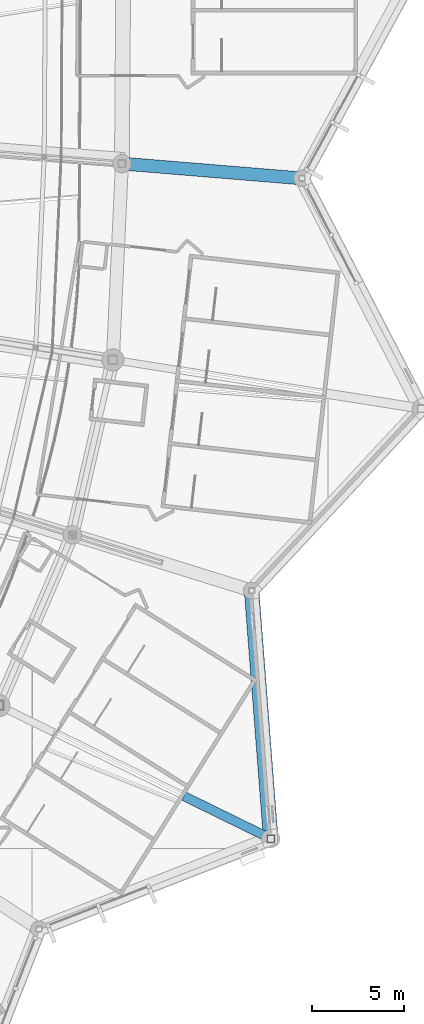
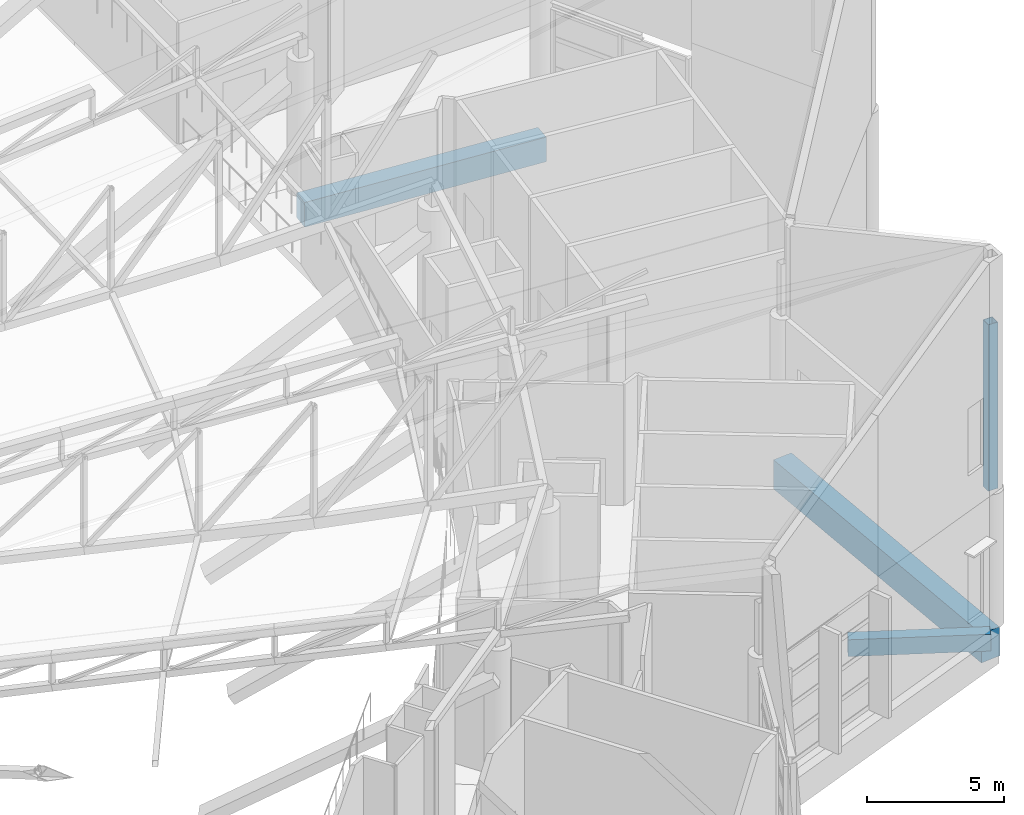
# One storey, part 95 of 344: 3 beams, 1 member.
"""IFC4 building model written with IfcOpenShell, lengths in metres."""

from ifc_helpers import new_model, si_unit, direction, frame, origin, origin_2d, place, context, subcontext, project, spatial, rectangle, hollow_rectangle, extrude, material, material_profile, profile_set, type_object, element, save


model = new_model("IFC4")

# Units and contexts
model_context = context("Model", 3, precision=1e-05, world=origin(), true_north=direction((0.0, 1.0)))
body_context = subcontext(model_context, "Body", "Model", "MODEL_VIEW")
ifc_project = project(units=[si_unit("LENGTHUNIT", "METRE"), si_unit("AREAUNIT", "SQUARE_METRE"), si_unit("VOLUMEUNIT", "CUBIC_METRE"), si_unit("PLANEANGLEUNIT", "RADIAN"), si_unit("MASSUNIT", "GRAM", prefix="KILO")], contexts=[model_context])

# Site, building, storey
site_placement = place(None, origin())
site = spatial("IfcSite", under=ifc_project, at=site_placement, CompositionType="ELEMENT")
building_placement = place(site_placement, origin())
building = spatial("IfcBuilding", under=site, at=building_placement, Name="Meseta Stadium", CompositionType="ELEMENT")
storey_placement = place(building_placement, frame((0.0, 0.0, 24.0)))
storey = spatial("IfcBuildingStorey", under=building, at=storey_placement, Name="L04", CompositionType="ELEMENT", Elevation=24.0)

# Beams
ifc_material_1 = material(Name="Concrete C40/50", Category="concrete")
ifc_material_profile_1 = material_profile(ifc_material_1, rectangle(XDim=0.5, YDim=0.75, at=origin_2d()), Name="RC 500x750")
ifc_profile_set_1 = profile_set([ifc_material_profile_1], Name="Concrete C40/50")
beam_type_1 = type_object("IfcBeamType", Name="RC beam 500x750", PredefinedType="BEAM", material=ifc_profile_set_1)
beam_1_placement = place(storey_placement, frame((88.212158203125, -77.175048828125, -0.77490234375), z_axis=(0.898112763243, -0.439765237939, 0.0), x_axis=(0.439765237939, 0.898112763243, 0.0)))
element("IfcBeam", 1, at=beam_1_placement, inside=storey, type_object=beam_type_1, Name="L04 radial beam frame 54 line P to R", PredefinedType="BEAM", context=body_context, shape_type="SweptSolid", body=[
    extrude(rectangle(XDim=0.5, YDim=0.75, at=origin_2d()), origin(), (0.0, 0.0, 1.0), 5.22900390625),
])
ifc_material_2 = material(Name="Concrete C40/50", Category="concrete")
ifc_material_profile_2 = material_profile(ifc_material_2, rectangle(XDim=0.699951171875, YDim=1.10009765625, at=origin_2d()), Name="RC 700x1100")
ifc_profile_set_2 = profile_set([ifc_material_profile_2], Name="Concrete C40/50")
beam_type_2 = type_object("IfcBeamType", Name="RC beam 700x1100", PredefinedType="BEAM", material=ifc_profile_set_2)
beam_2_placement = place(storey_placement, frame((84.85400390625, -42.948486328125, -0.949951171875), z_axis=(0.996635391437, -0.081962775303, 0.0), x_axis=(0.081962775303, 0.996635391437, 0.0)))
element("IfcBeam", 2, at=beam_2_placement, inside=storey, type_object=beam_type_2, Name="L04 radial beam frame 1 line P to R", PredefinedType="BEAM", context=body_context, shape_type="SweptSolid", body=[
    extrude(rectangle(XDim=0.699951171875, YDim=1.10009765625, at=origin_2d()), origin(), (0.0, 0.0, 1.0), 9.779052734375),
])
ifc_material_3 = material(Name="Concrete C40/50", Category="concrete")
ifc_material_profile_3 = material_profile(ifc_material_3, rectangle(XDim=0.800048828125, YDim=1.300048828125, at=origin_2d()), Name="RC 800x1300")
ifc_profile_set_3 = profile_set([ifc_material_profile_3], Name="Concrete C40/50")
beam_type_3 = type_object("IfcBeamType", Name="RC beam 800x1300", PredefinedType="BEAM", material=ifc_profile_set_3)
beam_3_placement = place(storey_placement, frame((92.908447265625, -79.474609375, -1.050048828125), z_axis=(-0.076925307894, 0.997036858399, 0.0), x_axis=(-0.997036858399, -0.076925307894, 0.0)))
element("IfcBeam", 3, at=beam_3_placement, inside=storey, type_object=beam_type_3, Name="L04 ring beam frame 54 line R", PredefinedType="BEAM", context=body_context, shape_type="SweptSolid", body=[
    extrude(rectangle(XDim=0.800048828125, YDim=1.300048828125, at=origin_2d()), origin(), (0.0, 0.0, 1.0), 13.462890625),
])

# Member
ifc_material_4 = material(Name="Steel S355", Category="steel")
ifc_material_profile_4 = material_profile(ifc_material_4, hollow_rectangle(XDim=0.39990234375, YDim=0.39990234375, WallThickness=0.01416015625, at=origin_2d()), Name="SHS 400x400x14.2")
ifc_profile_set_4 = profile_set([ifc_material_profile_4], Name="Steel S355")
member_type = type_object("IfcMemberType", Name="SHS 400x400x14.2 rim post", PredefinedType="POST", material=ifc_profile_set_4)
member_placement = place(storey_placement, frame((92.908447265625, -79.474609375, 6.0), z_axis=(0.0, 0.0, 1.0), x_axis=(1.0, 0.0, 0.0)))
element("IfcMember", 4, at=member_placement, inside=storey, type_object=member_type, Name="ROOF RIM POST RT-54", PredefinedType="POST", context=body_context, shape_type="SweptSolid", body=[
    extrude(hollow_rectangle(XDim=0.39990234375, YDim=0.39990234375, WallThickness=0.01416015625, at=origin_2d()), origin(), (0.0, 0.0, 1.0), 7.4296875),
])

save(model, "model.ifc")
